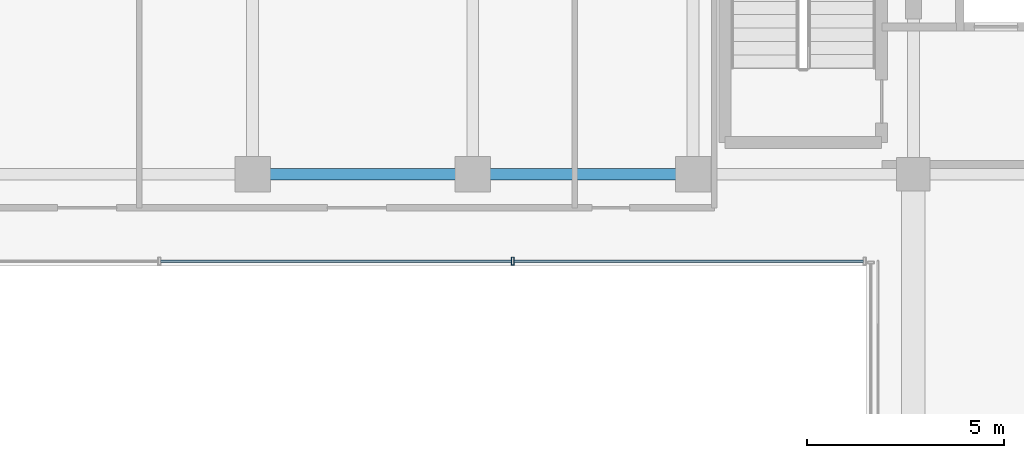
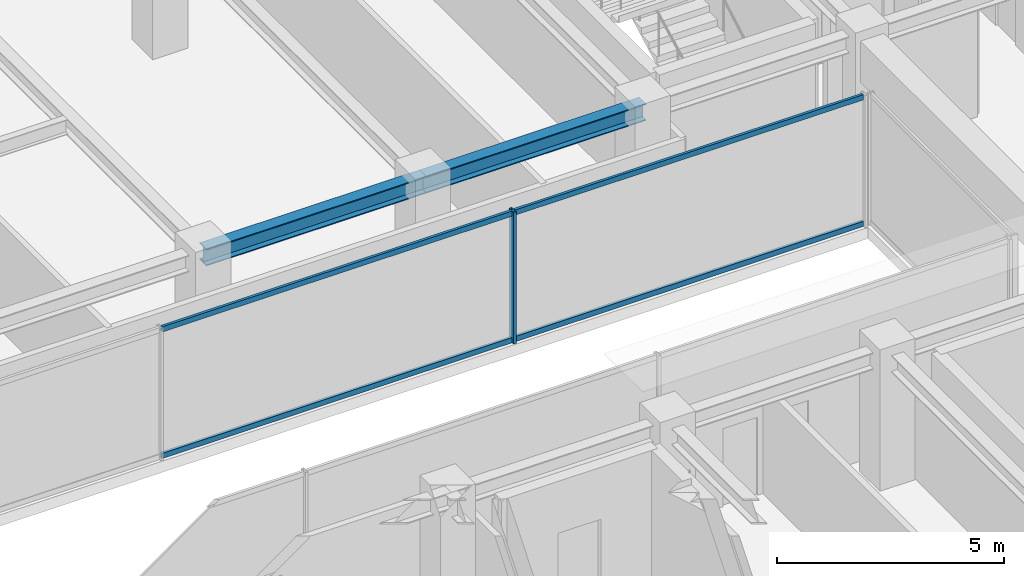
# One storey, part 14 of 40: 5 members, 2 beams, 1 element without a shape of its own.
"""IFC4 building model written with IfcOpenShell, lengths in metres."""

from ifc_helpers import new_model, si_unit, direction, frame, origin, origin_2d, place, context, subcontext, project, spatial, hollow_rectangle, i_section, extrude, source, transform, mapped, material, material_profile, profile_set, type_object, element, aggregate, save


model = new_model("IFC4")

# Units and contexts
model_context = context("Model", 3, precision=1e-05, world=origin(), true_north=direction((0.0, 1.0)))
body_context = subcontext(model_context, "Body", "Model", "MODEL_VIEW")
ifc_project = project(units=[si_unit("LENGTHUNIT", "METRE"), si_unit("AREAUNIT", "SQUARE_METRE"), si_unit("VOLUMEUNIT", "CUBIC_METRE"), si_unit("PLANEANGLEUNIT", "RADIAN"), si_unit("MASSUNIT", "GRAM", prefix="KILO")], contexts=[model_context])

# Site, building, storey
site_placement = place(None, origin())
site = spatial("IfcSite", under=ifc_project, at=site_placement, CompositionType="ELEMENT")
building_placement = place(site_placement, origin())
building = spatial("IfcBuilding", under=site, at=building_placement, Name="Nahalor Promenade Grand Hotel", CompositionType="ELEMENT")
storey_placement = place(building_placement, frame((0.0, 0.0, 288.800048828125)))
storey = spatial("IfcBuildingStorey", under=building, at=storey_placement, Name="L74", CompositionType="ELEMENT", Elevation=288.800048828125)

# Beams
ifc_material_1 = material(Name="Steel S355JR", Category="steel")
ifc_material_profile_1 = material_profile(ifc_material_1, i_section(OverallWidth=0.3, OverallDepth=0.45, WebThickness=0.014, FlangeThickness=0.026, at=origin_2d()), Name="HEB 450")
ifc_profile_set_1 = profile_set([ifc_material_profile_1], Name="Steel S355JR")
beam_type = type_object("IfcBeamType", Name="Beam-Girder-HEB450", PredefinedType="BEAM", material=ifc_profile_set_1)
shared_shape_1 = source(origin(), body_context, "Body", "SweptSolid", [
    extrude(i_section(OverallWidth=0.3, OverallDepth=0.45, WebThickness=0.014, FlangeThickness=0.026, at=origin_2d()), origin(), (0.0, 0.0, 1.0), 5.599853515625),
])
beam_1_placement = place(storey_placement, frame((-8.39990234375, 5.39990234375, 3.324951171875), z_axis=(1.0, 0.0, 0.0), x_axis=(0.0, 1.0, 0.0)))
element("IfcBeam", 1, at=beam_1_placement, inside=storey, type_object=beam_type, Name="BM-L74-GX-2-2", PredefinedType="BEAM", context=body_context, shape_type="MappedRepresentation", body=[
    mapped(shared_shape_1, transform((0.0, 0.0, 0.0), scale=1.0)),
])
shared_shape_2 = source(origin(), body_context, "Body", "SweptSolid", [
    extrude(i_section(OverallWidth=0.3, OverallDepth=0.45, WebThickness=0.014, FlangeThickness=0.026, at=origin_2d()), origin(), (0.0, 0.0, 1.0), 5.60009765625),
])
beam_2_placement = place(storey_placement, frame((-2.800048828125, 5.39990234375, 3.324951171875), z_axis=(1.0, 0.0, 0.0), x_axis=(0.0, 1.0, 0.0)))
element("IfcBeam", 2, at=beam_2_placement, inside=storey, type_object=beam_type, Name="BM-L74-GX-2-3", PredefinedType="BEAM", context=body_context, shape_type="MappedRepresentation", body=[
    mapped(shared_shape_2, transform((0.0, 0.0, 0.0), scale=1.0)),
])

# Curtain wall, members
ifc_material_2 = material(Name="Anodised Bronze Aluminium EN AW-6063 T6", Category="aluminium")
curtain_wall_type = type_object("IfcCurtainWallType", Name="CW3 Elliptical-Void Collar Unitised Curtain Wall", PredefinedType="USERDEFINED", material=ifc_material_2)
curtain_wall_placement = place(storey_placement, origin())
curtain_wall = element("IfcCurtainWall", 3, at=curtain_wall_placement, inside=storey, type_object=curtain_wall_type, Name="L74 Curtain Wall CW-L74-VOID-WN1", ObjectType="UNITISED_CURTAIN_WALL", PredefinedType="USERDEFINED")
ifc_material_profile_2 = material_profile(ifc_material_2, hollow_rectangle(XDim=0.07, YDim=0.14, WallThickness=0.004, at=origin_2d()), Name="CWT 70x140x4")
ifc_profile_set_2 = profile_set([ifc_material_profile_2], Name="Anodised Bronze Aluminium EN AW-6063 T6")
member_type_1 = type_object("IfcMemberType", Name="CWT3 Void Collar Transom 70x140", PredefinedType="USERDEFINED", material=ifc_profile_set_2)
shared_shape_3 = source(origin(), body_context, "Body", "SweptSolid", [
    extrude(hollow_rectangle(XDim=0.07, YDim=0.14, WallThickness=0.004, at=origin_2d()), origin(), (0.0, 0.0, 1.0), 8.881591796875),
])
member_1_placement = place(storey_placement, frame((-1.751708984375, 3.19091796875, 0.070068359375), z_axis=(1.0, 0.0, 0.0), x_axis=(0.0, 1.0, 0.0)))
member_1 = element("IfcMember", 4, at=member_1_placement, type_object=member_type_1, Name="CW-L74-VOID-WN1 Transom 2-0", ObjectType="TRANSOM", PredefinedType="USERDEFINED", context=body_context, shape_type="MappedRepresentation", body=[
    mapped(shared_shape_3, transform((0.0, 0.0, 0.0), scale=1.0)),
])
member_2_placement = place(storey_placement, frame((-1.751708984375, 3.19091796875, 3.47998046875), z_axis=(1.0, 0.0, 0.0), x_axis=(0.0, 1.0, 0.0)))
member_2 = element("IfcMember", 5, at=member_2_placement, type_object=member_type_1, Name="CW-L74-VOID-WN1 Transom 2-1", ObjectType="TRANSOM", PredefinedType="USERDEFINED", context=body_context, shape_type="MappedRepresentation", body=[
    mapped(shared_shape_3, transform((0.0, 0.0, 0.0), scale=1.0)),
])
shared_shape_4 = source(origin(), body_context, "Body", "SweptSolid", [
    extrude(hollow_rectangle(XDim=0.07, YDim=0.14, WallThickness=0.004, at=origin_2d()), origin(), (0.0, 0.0, 1.0), 8.91650390625),
])
member_3_placement = place(storey_placement, frame((-10.73828125, 3.19091796875, 0.070068359375), z_axis=(1.0, 0.0, 0.0), x_axis=(0.0, 1.0, 0.0)))
member_3 = element("IfcMember", 6, at=member_3_placement, type_object=member_type_1, Name="CW-L74-VOID-WN1 Transom 1-0", ObjectType="TRANSOM", PredefinedType="USERDEFINED", context=body_context, shape_type="MappedRepresentation", body=[
    mapped(shared_shape_4, transform((0.0, 0.0, 0.0), scale=1.0)),
])
member_4_placement = place(storey_placement, frame((-10.73828125, 3.19091796875, 3.47998046875), z_axis=(1.0, 0.0, 0.0), x_axis=(0.0, 1.0, 0.0)))
member_4 = element("IfcMember", 7, at=member_4_placement, type_object=member_type_1, Name="CW-L74-VOID-WN1 Transom 1-1", ObjectType="TRANSOM", PredefinedType="USERDEFINED", context=body_context, shape_type="MappedRepresentation", body=[
    mapped(shared_shape_4, transform((0.0, 0.0, 0.0), scale=1.0)),
])
ifc_material_profile_3 = material_profile(ifc_material_2, hollow_rectangle(XDim=0.07, YDim=0.2, WallThickness=0.005, at=origin_2d()), Name="CWM 70x200x5")
ifc_profile_set_3 = profile_set([ifc_material_profile_3], Name="Anodised Bronze Aluminium EN AW-6063 T6")
member_type_2 = type_object("IfcMemberType", Name="CWM3 Void Collar Mullion 70x200", PredefinedType="MULLION", material=ifc_profile_set_3)
shared_shape_5 = source(origin(), body_context, "Body", "SweptSolid", [
    extrude(hollow_rectangle(XDim=0.07, YDim=0.2, WallThickness=0.005, at=origin_2d()), origin(), (0.0, 0.0, 1.0), 3.550048828125),
])
member_5_placement = place(storey_placement, frame((-1.78662109375, 3.19091796875, 0.0), z_axis=(0.0, 0.0, 1.0), x_axis=(1.0, 0.0, 0.0)))
member_5 = element("IfcMember", 8, at=member_5_placement, type_object=member_type_2, Name="CW-L74-VOID-WN1 Mullion 2", PredefinedType="MULLION", context=body_context, shape_type="MappedRepresentation", body=[
    mapped(shared_shape_5, transform((0.0, 0.0, 0.0), scale=1.0)),
])
aggregate(curtain_wall, [member_5, member_3, member_4, member_1, member_2])

save(model, "model.ifc")
